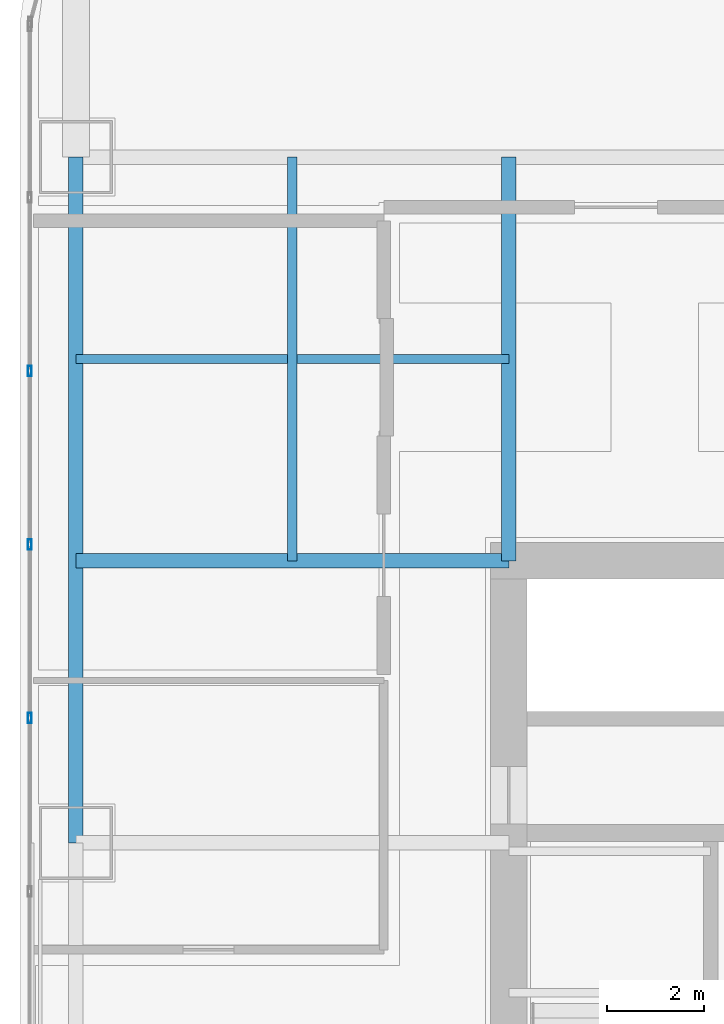
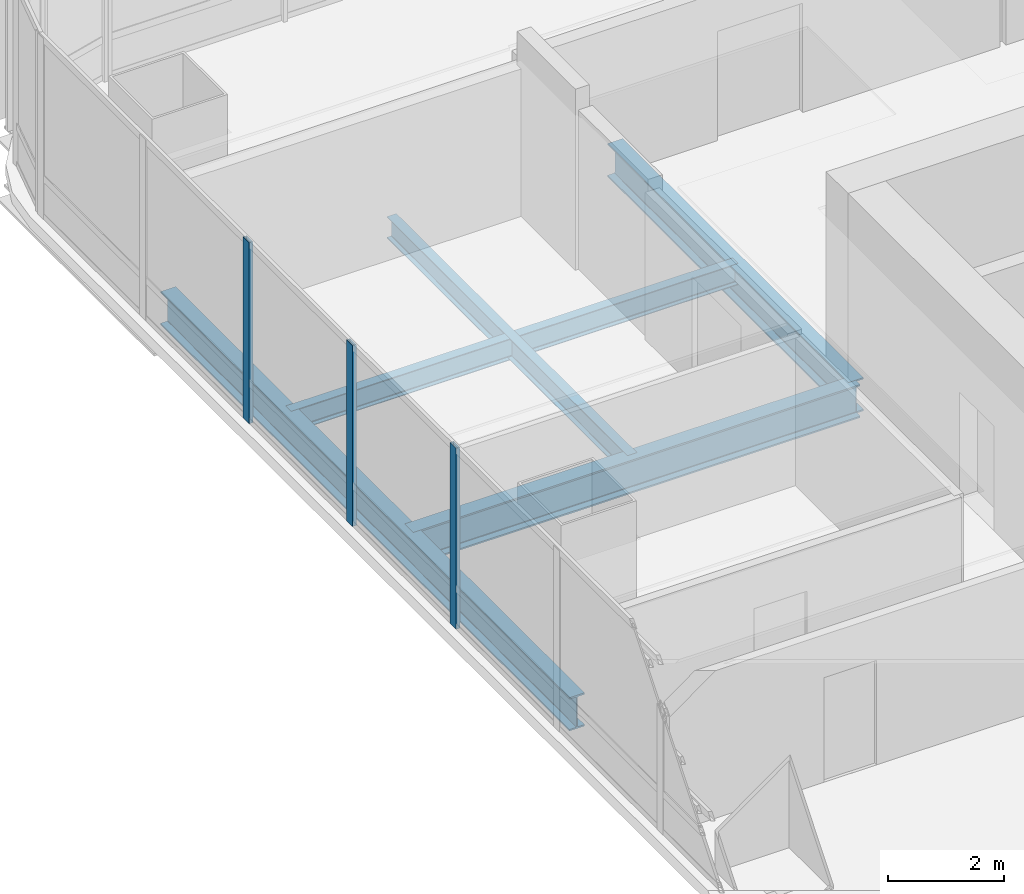
# One storey, part 11 of 34: 5 beams, 3 members, 1 element without a shape of its own.
"""IFC4 building model written with IfcOpenShell, lengths in metres."""

from ifc_helpers import new_model, si_unit, direction, frame, origin, origin_2d, place, context, subcontext, project, spatial, hollow_rectangle, i_section, extrude, material, material_profile, profile_set, type_object, element, aggregate, save


model = new_model("IFC4")

# Units and contexts
model_context = context("Model", 3, precision=1e-05, world=origin(), true_north=direction((0.0, 1.0)))
body_context = subcontext(model_context, "Body", "Model", "MODEL_VIEW")
ifc_project = project(units=[si_unit("LENGTHUNIT", "METRE"), si_unit("AREAUNIT", "SQUARE_METRE"), si_unit("VOLUMEUNIT", "CUBIC_METRE"), si_unit("PLANEANGLEUNIT", "RADIAN"), si_unit("MASSUNIT", "GRAM", prefix="KILO")], contexts=[model_context])

# Site, building, storey
site_placement = place(None, origin())
site = spatial("IfcSite", under=ifc_project, at=site_placement, CompositionType="ELEMENT")
building_placement = place(site_placement, origin())
building = spatial("IfcBuilding", under=site, at=building_placement, Name="Punatoya Terracotta Tower", CompositionType="ELEMENT")
storey_placement = place(building_placement, frame((0.0, 0.0, 101.10009765625)))
storey = spatial("IfcBuildingStorey", under=building, at=storey_placement, Name="L23", CompositionType="ELEMENT", Elevation=101.10009765625)

# Beams
ifc_material_1 = material(Name="Steel S355", Category="steel")
ifc_material_profile_1 = material_profile(ifc_material_1, i_section(OverallWidth=0.300048828125, OverallDepth=0.699951171875, WebThickness=0.01708984375, FlangeThickness=0.031982421875, FilletRadius=0.01806640625, at=origin_2d()))
ifc_profile_set_1 = profile_set([ifc_material_profile_1], Name="Steel S355")
beam_type_1 = type_object("IfcBeamType", Name="BM-PRI-700", PredefinedType="BEAM", material=ifc_profile_set_1)
beam_1_placement = place(storey_placement, frame((-19.10009765625, 3.39990234375, -0.590087890625), z_axis=(0.0, 1.0, 0.0), x_axis=(-1.0, 0.0, 0.0)))
element("IfcBeam", 1, at=beam_1_placement, inside=storey, type_object=beam_type_1, Name="BM-L23-RG-W3", PredefinedType="BEAM", context=body_context, shape_type="SweptSolid", body=[
    extrude(i_section(OverallWidth=0.300048828125, OverallDepth=0.699951171875, WebThickness=0.01708984375, FlangeThickness=0.031982421875, FilletRadius=0.01806640625, at=origin_2d()), origin(), (0.0, 0.0, 1.0), 14.10009765625),
])
beam_2_placement = place(storey_placement, frame((-19.10009765625, 9.199951171875, -0.590087890625), z_axis=(1.0, 0.0, 0.0), x_axis=(0.0, 1.0, 0.0)))
element("IfcBeam", 2, at=beam_2_placement, inside=storey, type_object=beam_type_1, Name="BM-L23-PR-WN", PredefinedType="BEAM", context=body_context, shape_type="SweptSolid", body=[
    extrude(i_section(OverallWidth=0.300048828125, OverallDepth=0.699951171875, WebThickness=0.01708984375, FlangeThickness=0.031982421875, FilletRadius=0.01806640625, at=origin_2d()), origin(), (0.0, 0.0, 1.0), 8.900146484375),
])
beam_3_placement = place(storey_placement, frame((-10.199951171875, 9.199951171875, -0.590087890625), z_axis=(0.0, 1.0, 0.0), x_axis=(-1.0, 0.0, 0.0)))
element("IfcBeam", 3, at=beam_3_placement, inside=storey, type_object=beam_type_1, Name="BM-L23-PR-N1", PredefinedType="BEAM", context=body_context, shape_type="SweptSolid", body=[
    extrude(i_section(OverallWidth=0.300048828125, OverallDepth=0.699951171875, WebThickness=0.01708984375, FlangeThickness=0.031982421875, FilletRadius=0.01806640625, at=origin_2d()), origin(), (0.0, 0.0, 1.0), 8.300048828125),
])
ifc_material_profile_2 = material_profile(ifc_material_1, i_section(OverallWidth=0.18994140625, OverallDepth=0.449951171875, WebThickness=0.009521484375, FlangeThickness=0.0146484375, FilletRadius=0.01806640625, at=origin_2d()))
ifc_profile_set_2 = profile_set([ifc_material_profile_2], Name="Steel S355")
beam_type_2 = type_object("IfcBeamType", Name="BM-SEC-450", PredefinedType="JOIST", material=ifc_profile_set_2)
beam_4_placement = place(storey_placement, frame((-19.10009765625, 13.35009765625, -0.465087890625), z_axis=(1.0, 0.0, 0.0), x_axis=(0.0, 1.0, 0.0)))
element("IfcBeam", 4, at=beam_4_placement, inside=storey, type_object=beam_type_2, Name="BM-L23-SJN-1", PredefinedType="JOIST", context=body_context, shape_type="SweptSolid", body=[
    extrude(i_section(OverallWidth=0.18994140625, OverallDepth=0.449951171875, WebThickness=0.009521484375, FlangeThickness=0.0146484375, FilletRadius=0.01806640625, at=origin_2d()), origin(), (0.0, 0.0, 1.0), 8.900146484375),
])
beam_5_placement = place(storey_placement, frame((-14.64990234375, 9.199951171875, -0.465087890625), z_axis=(0.0, 1.0, 0.0), x_axis=(-1.0, 0.0, 0.0)))
element("IfcBeam", 5, at=beam_5_placement, inside=storey, type_object=beam_type_2, Name="BM-L23-SJW-2", PredefinedType="JOIST", context=body_context, shape_type="SweptSolid", body=[
    extrude(i_section(OverallWidth=0.18994140625, OverallDepth=0.449951171875, WebThickness=0.009521484375, FlangeThickness=0.0146484375, FilletRadius=0.01806640625, at=origin_2d()), origin(), (0.0, 0.0, 1.0), 8.300048828125),
])

# Curtain wall, members
ifc_material_2 = material(Name="Aluminium 6063-T6 + Double Low-E Glass", Category="aluminium")
curtain_wall_type = type_object("IfcCurtainWallType", Name="CW-M1", PredefinedType="NOTDEFINED", material=ifc_material_2)
curtain_wall_placement = place(storey_placement, origin())
curtain_wall = element("IfcCurtainWall", 6, at=curtain_wall_placement, inside=storey, type_object=curtain_wall_type, Name="L23 Curtain Wall CW-L23-W13-1", PredefinedType="NOTDEFINED")
ifc_material_3 = material(Name="Aluminium 6063-T6", Category="aluminium")
ifc_material_profile_3 = material_profile(ifc_material_3, hollow_rectangle(XDim=0.074951171875, YDim=0.2099609375, WallThickness=0.00439453125, at=origin_2d()))
ifc_profile_set_3 = profile_set([ifc_material_profile_3], Name="Aluminium 6063-T6")
member_type = type_object("IfcMemberType", Name="CW-MUL-M1", PredefinedType="MULLION", material=ifc_profile_set_3)
member_1_placement = place(storey_placement, frame((-20.050048828125, 13.10205078125, 0.0), z_axis=(0.0, 0.0, 1.0), x_axis=(1.0, 0.0, 0.0)))
member_1 = element("IfcMember", 7, at=member_1_placement, type_object=member_type, Name="CW-L23-W13-1 Mullion 02", PredefinedType="MULLION", context=body_context, shape_type="SweptSolid", body=[
    extrude(hollow_rectangle(XDim=0.074951171875, YDim=0.2099609375, WallThickness=0.00439453125, at=origin_2d()), origin(), (0.0, 0.0, 1.0), 3.809814453125),
])
member_2_placement = place(storey_placement, frame((-20.050048828125, 9.534912109375, 0.0), z_axis=(0.0, 0.0, 1.0), x_axis=(1.0, 0.0, 0.0)))
member_2 = element("IfcMember", 8, at=member_2_placement, type_object=member_type, Name="CW-L23-W13-1 Mullion 03", PredefinedType="MULLION", context=body_context, shape_type="SweptSolid", body=[
    extrude(hollow_rectangle(XDim=0.074951171875, YDim=0.2099609375, WallThickness=0.00439453125, at=origin_2d()), origin(), (0.0, 0.0, 1.0), 3.809814453125),
])
member_3_placement = place(storey_placement, frame((-20.050048828125, 5.96728515625, 0.0), z_axis=(0.0, 0.0, 1.0), x_axis=(1.0, 0.0, 0.0)))
member_3 = element("IfcMember", 9, at=member_3_placement, type_object=member_type, Name="CW-L23-W13-1 Mullion 04", PredefinedType="MULLION", context=body_context, shape_type="SweptSolid", body=[
    extrude(hollow_rectangle(XDim=0.074951171875, YDim=0.2099609375, WallThickness=0.00439453125, at=origin_2d()), origin(), (0.0, 0.0, 1.0), 3.809814453125),
])
aggregate(curtain_wall, [member_1, member_2, member_3])

save(model, "model.ifc")
